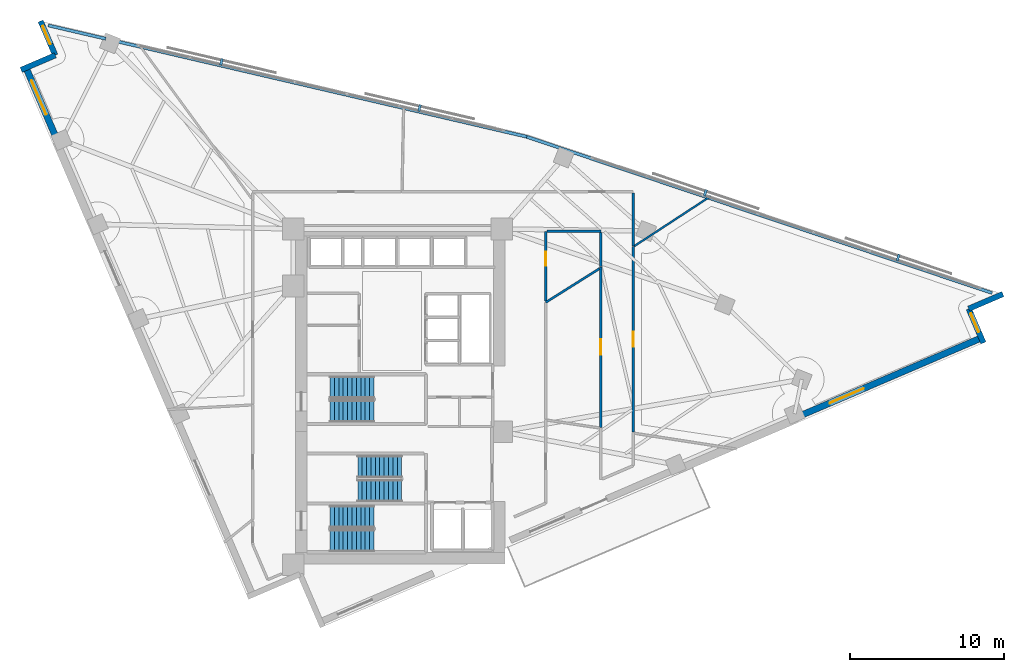
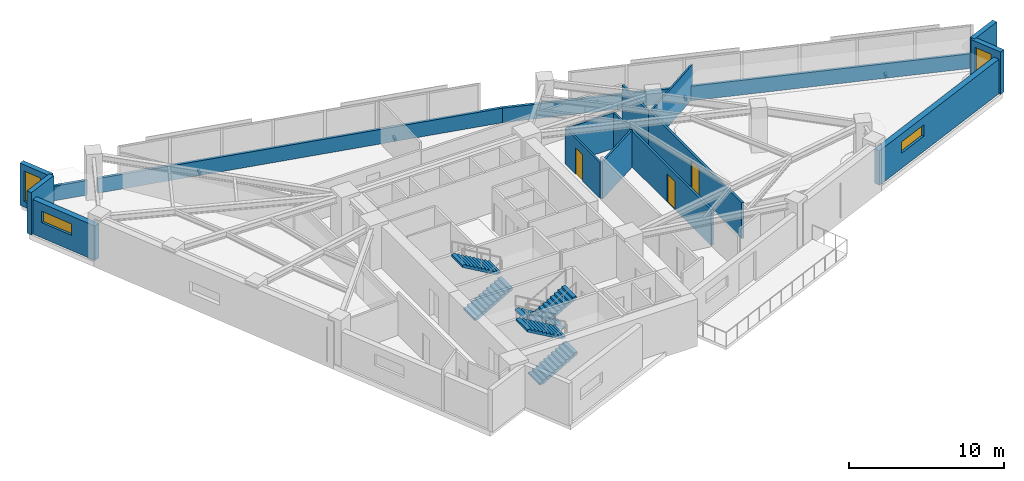
# One storey, part 11 of 13: 17 walls, 6 stair flights, 4 discrete accessories, 4 windows, 3 doors, 7 openings, 3 elements without a shape of their own.
"""IFC4 building model written with IfcOpenShell, lengths in metres."""

from ifc_helpers import new_model, si_unit, direction, frame, frame_2d, origin, origin_2d, place, context, subcontext, project, spatial, polyline, rectangle, outline, extrude, material, layer, layer_set, type_object, element, fill, aggregate, save


model = new_model("IFC4")

# Units and contexts
model_context = context("Model", 3, precision=1e-05, world=origin(), true_north=direction((0.0, 1.0)))
body_context = subcontext(model_context, "Body", "Model", "MODEL_VIEW")
ifc_project = project(units=[si_unit("LENGTHUNIT", "METRE"), si_unit("AREAUNIT", "SQUARE_METRE"), si_unit("VOLUMEUNIT", "CUBIC_METRE"), si_unit("PLANEANGLEUNIT", "RADIAN"), si_unit("MASSUNIT", "GRAM", prefix="KILO")], contexts=[model_context])

# Site, building, storey
site_placement = place(None, origin())
site = spatial("IfcSite", under=ifc_project, at=site_placement, CompositionType="ELEMENT")
building_placement = place(site_placement, origin())
building = spatial("IfcBuilding", under=site, at=building_placement, Name="Narakoshi Arena Tower", CompositionType="ELEMENT")
storey_placement = place(building_placement, frame((0.0, 0.0, 164.699951171875)))
storey = spatial("IfcBuildingStorey", under=building, at=storey_placement, Name="L44", CompositionType="ELEMENT", Elevation=164.699951171875)

# Wall, opening, door
ifc_material_1 = material(Name="Gypsum plasterboard fire-rated partition")
ifc_layer_1 = layer(ifc_material_1, 0.1650390625)
ifc_layer_set_1 = layer_set([ifc_layer_1], Name="Gypsum plasterboard fire-rated partition")
wall_type_1 = type_object("IfcWallType", Name="WL-CORR-165", PredefinedType="PARTITIONING", material=ifc_layer_set_1)
wall_1_placement = place(storey_placement, frame((94.07373046875, 43.31591796875, 0.0), z_axis=(0.0, 0.0, 1.0), x_axis=(0.0, 1.0, 0.0)))
wall_1 = element("IfcWall", 1, at=wall_1_placement, inside=storey, type_object=wall_type_1, Name="L44 Corridor Partition 04-1", PredefinedType="PARTITIONING", context=body_context, shape_type="SweptSolid", body=[
    extrude(rectangle(XDim=12.056640625, YDim=0.1650390625, at=frame_2d((6.0283203125, 0.0))), origin(), (0.0, 0.0, 1.0), 2.824951171875),
])
opening_1_placement = place(wall_1_placement, frame((5.5283203125, 0.0, 0.0)))
opening_1 = element("IfcOpeningElement", 2, at=opening_1_placement, cuts=wall_1, Name="Opening D-06", PredefinedType="OPENING", context=body_context, shape_type="SweptSolid", body=[
    extrude(rectangle(XDim=1.0, YDim=2.199951171875, at=frame_2d((0.5, 1.10009765625))), frame((0.0, 0.092529296875, 0.0), z_axis=(0.0, -1.0, 0.0), x_axis=(1.0, 0.0, 0.0)), (0.0, 0.0, 1.0), 0.18505859375),
])
ifc_material_2 = material(Name="Stained oak solid-core timber", Category="wood")
door_type_1 = type_object("IfcDoorType", Name="DR-OFF-1000", OperationType="NOTDEFINED", PredefinedType="DOOR", material=ifc_material_2)
door_1_placement = place(opening_1_placement, frame((1.0, 0.0, 0.0), z_axis=(0.0, 0.0, 1.0), x_axis=(-1.0, 0.0, 0.0)))
door_1 = element("IfcDoor", 3, at=door_1_placement, inside=storey, type_object=door_type_1, Name="DR-L44-019", OperationType="SINGLE_SWING_LEFT", OverallHeight=2.199951171875, OverallWidth=1.0, PredefinedType="DOOR", context=body_context, shape_type="SweptSolid", body=[
    extrude(rectangle(XDim=1.0, YDim=2.199951171875, at=frame_2d((0.5, 1.10009765625))), frame((0.0, 0.02490234375, 0.0), z_axis=(0.0, -1.0, 0.0), x_axis=(1.0, 0.0, 0.0)), (0.0, 0.0, 1.0), 0.050048828125),
])
fill(opening_1, door_1)

wall_2_placement = place(storey_placement, frame((91.9736328125, 54.02685546875, 0.0), z_axis=(0.0, 0.0, 1.0), x_axis=(0.0, -1.0, 0.0)))
wall_2 = element("IfcWall", 4, at=wall_2_placement, inside=storey, type_object=wall_type_1, Name="L44 Corridor Partition 05-1", PredefinedType="PARTITIONING", context=body_context, shape_type="SweptSolid", body=[
    extrude(rectangle(XDim=10.395263671875, YDim=0.1650390625, at=frame_2d((5.19775390625, 0.0))), origin(), (0.0, 0.0, 1.0), 2.824951171875),
])
opening_2_placement = place(wall_2_placement, frame((4.697509765625, 0.0, 0.0)))
opening_2 = element("IfcOpeningElement", 5, at=opening_2_placement, cuts=wall_2, Name="Opening D-06", PredefinedType="OPENING", context=body_context, shape_type="SweptSolid", body=[
    extrude(rectangle(XDim=1.0, YDim=2.199951171875, at=frame_2d((0.5, 1.10009765625))), frame((0.0, 0.092529296875, 0.0), z_axis=(0.0, -1.0, 0.0), x_axis=(1.0, 0.0, 0.0)), (0.0, 0.0, 1.0), 0.18505859375),
])
door_2_placement = place(opening_2_placement, frame((1.0, 0.0, 0.0), z_axis=(0.0, 0.0, 1.0), x_axis=(-1.0, 0.0, 0.0)))
door_2 = element("IfcDoor", 6, at=door_2_placement, inside=storey, type_object=door_type_1, Name="DR-L44-020", OperationType="SINGLE_SWING_RIGHT", OverallHeight=2.199951171875, OverallWidth=1.0, PredefinedType="DOOR", context=body_context, shape_type="SweptSolid", body=[
    extrude(rectangle(XDim=1.0, YDim=2.199951171875, at=frame_2d((0.5, 1.10009765625))), frame((0.0, 0.02490234375, 0.0), z_axis=(0.0, -1.0, 0.0), x_axis=(1.0, 0.0, 0.0)), (0.0, 0.0, 1.0), 0.050048828125),
])
fill(opening_2, door_2)

# Walls
wall_3_placement = place(storey_placement, frame((94.07373046875, 55.40087890625, 0.0), z_axis=(0.0, 0.0, 1.0), x_axis=(0.0, 1.0, 0.0)))
element("IfcWall", 7, at=wall_3_placement, inside=storey, type_object=wall_type_1, Name="L44 Corridor Partition 07-2", PredefinedType="PARTITIONING", context=body_context, shape_type="SweptSolid", body=[
    extrude(rectangle(XDim=3.423583984375, YDim=0.1650390625, at=frame_2d((1.7119140625, 0.0))), origin(), (0.0, 0.0, 1.0), 2.72509765625),
])
ifc_material_3 = material(Name="Precast concrete C45/55", Category="concrete")
ifc_layer_2 = layer(ifc_material_3, 0.25)
ifc_layer_set_2 = layer_set([ifc_layer_2], Name="Precast concrete C45/55")
wall_type_2 = type_object("IfcWallType", Name="WL-PARA-250", PredefinedType="PARAPET", material=ifc_layer_set_2)
wall_4_placement = place(storey_placement, frame((117.362548828125, 52.343505859375, 0.0), z_axis=(0.0, 0.0, 1.0), x_axis=(-0.94800468727, 0.31825636351, 0.0)))
element("IfcWall", 8, at=wall_4_placement, inside=storey, type_object=wall_type_2, Name="L44 Hypotenuse Sill Upstand Parapet 1-01", PredefinedType="PARAPET", context=body_context, shape_type="SweptSolid", body=[
    extrude(rectangle(XDim=31.869140625, YDim=0.199951171875, at=frame_2d((15.9345703125, 0.0))), origin(), (0.0, 0.0, 1.0), 1.150146484375),
])
wall_5_placement = place(storey_placement, frame((87.1650390625, 62.48193359375, 0.0), z_axis=(0.0, 0.0, 1.0), x_axis=(-0.973958631559, 0.226725790352, 0.0)))
element("IfcWall", 9, at=wall_5_placement, inside=storey, type_object=wall_type_2, Name="L44 Hypotenuse Sill Upstand Parapet 2-01", PredefinedType="PARAPET", context=body_context, shape_type="SweptSolid", body=[
    extrude(rectangle(XDim=27.375732421875, YDim=0.199951171875, at=frame_2d((13.68798828125, 0.0))), origin(), (0.0, 0.0, 1.0), 1.150146484375),
])
wall_6_placement = place(storey_placement, frame((59.8408203125, 68.842529296875, 0.0), z_axis=(0.0, 0.0, 1.0), x_axis=(-0.973951848941, 0.226754924851, 0.0)))
element("IfcWall", 10, at=wall_6_placement, inside=storey, type_object=wall_type_2, Name="L44 Hypotenuse Sill Upstand Parapet 2-02", PredefinedType="PARAPET", context=body_context, shape_type="SweptSolid", body=[
    extrude(rectangle(XDim=3.837158203125, YDim=0.199951171875, at=frame_2d((1.91845703125, 0.0))), origin(), (0.0, 0.0, 1.0), 1.150146484375),
])
ifc_layer_3 = layer(ifc_material_1, 0.125)
ifc_layer_set_3 = layer_set([ifc_layer_3], Name="Gypsum plasterboard fire-rated partition")
wall_type_3 = type_object("IfcWallType", Name="WL-PART-125", PredefinedType="PARTITIONING", material=ifc_layer_set_3)
wall_7_placement = place(storey_placement, frame((94.121826171875, 55.37255859375, 0.0), z_axis=(0.0, 0.0, 1.0), x_axis=(0.837125239486, 0.547011273573, 0.0)))
element("IfcWall", 11, at=wall_7_placement, inside=storey, type_object=wall_type_3, Name="L44 Inter-Room Partition 04-07", PredefinedType="PARTITIONING", context=body_context, shape_type="SweptSolid", body=[
    extrude(rectangle(XDim=5.96826171875, YDim=0.125, at=frame_2d((2.984130859375, 0.0))), origin(), (0.0, 0.0, 1.0), 2.72509765625),
])

# Wall, opening, window
ifc_layer_4 = layer(ifc_material_3, 0.419921875)
ifc_layer_set_4 = layer_set([ifc_layer_4], Name="Precast concrete C45/55")
wall_type_4 = type_object("IfcWallType", Name="WL-POD-420", PredefinedType="SOLIDWALL", material=ifc_layer_set_4)
wall_8_placement = place(storey_placement, frame((104.656005859375, 44.2685546875, 0.0), z_axis=(0.0, 0.0, 1.0), x_axis=(0.918789071809, 0.394748833467, 0.0)))
wall_8 = element("IfcWall", 12, at=wall_8_placement, inside=storey, type_object=wall_type_4, Name="L44 Architectural Concrete Facade Wall LEGA-4", PredefinedType="SOLIDWALL", context=body_context, shape_type="SweptSolid", body=[
    extrude(rectangle(XDim=13.06884765625, YDim=0.419921875, at=frame_2d((6.534423828125, 0.0))), origin(), (0.0, 0.0, 1.0), 2.72509765625),
])
opening_3_placement = place(wall_8_placement, frame((2.362060546875, 0.0, 1.199951171875)))
opening_3 = element("IfcOpeningElement", 13, at=opening_3_placement, cuts=wall_8, Name="Opening WN-01", PredefinedType="OPENING", context=body_context, shape_type="SweptSolid", body=[
    extrude(rectangle(XDim=2.39990234375, YDim=0.89990234375, at=frame_2d((1.199951171875, 0.449951171875))), frame((0.0, 0.219970703125, 0.0), z_axis=(0.0, -1.0, 0.0), x_axis=(1.0, 0.0, 0.0)), (0.0, 0.0, 1.0), 0.43994140625),
])
ifc_material_4 = material(Name="Bronze-tinted low-E laminated glass", Category="glass")
window_type_1 = type_object("IfcWindowType", Name="WIN-SLT-24x09", PartitioningType="SINGLE_PANEL", PredefinedType="WINDOW", material=ifc_material_4)
window_1_placement = place(opening_3_placement, origin())
window_1 = element("IfcWindow", 14, at=window_1_placement, inside=storey, type_object=window_type_1, Name="L44 LEGA4 Horizontal Slot Window 1", OverallHeight=0.89990234375, OverallWidth=2.39990234375, PartitioningType="SINGLE_PANEL", PredefinedType="WINDOW", context=body_context, shape_type="SweptSolid", body=[
    extrude(rectangle(XDim=2.39990234375, YDim=0.89990234375, at=frame_2d((1.199951171875, 0.449951171875))), frame((0.0, 0.030029296875, 0.0), z_axis=(0.0, -1.0, 0.0), x_axis=(1.0, 0.0, 0.0)), (0.0, 0.0, 1.0), 0.06005859375),
])
fill(opening_3, window_1)

wall_9_placement = place(storey_placement, frame((54.6708984375, 66.958984375, 0.0), z_axis=(0.0, 0.0, 1.0), x_axis=(0.394733507229, -0.918795656428, 0.0)))
wall_9 = element("IfcWall", 15, at=wall_9_placement, inside=storey, type_object=wall_type_4, Name="L44 Architectural Concrete Facade Wall LEGB-1", PredefinedType="SOLIDWALL", context=body_context, shape_type="SweptSolid", body=[
    extrude(rectangle(XDim=5.210205078125, YDim=0.419921875, at=frame_2d((2.60498046875, 0.0))), origin(), (0.0, 0.0, 1.0), 2.72509765625),
])
opening_4_placement = place(wall_9_placement, frame((0.89990234375, 0.0, 1.199951171875)))
opening_4 = element("IfcOpeningElement", 16, at=opening_4_placement, cuts=wall_9, Name="Opening WN-01", PredefinedType="OPENING", context=body_context, shape_type="SweptSolid", body=[
    extrude(rectangle(XDim=2.39990234375, YDim=0.89990234375, at=frame_2d((1.199951171875, 0.449951171875))), frame((0.0, 0.219970703125, 0.0), z_axis=(0.0, -1.0, 0.0), x_axis=(1.0, 0.0, 0.0)), (0.0, 0.0, 1.0), 0.43994140625),
])
window_2_placement = place(opening_4_placement, origin())
window_2 = element("IfcWindow", 17, at=window_2_placement, inside=storey, type_object=window_type_1, Name="L44 LEGB1 Horizontal Slot Window 1", OverallHeight=0.89990234375, OverallWidth=2.39990234375, PartitioningType="SINGLE_PANEL", PredefinedType="WINDOW", context=body_context, shape_type="SweptSolid", body=[
    extrude(rectangle(XDim=2.39990234375, YDim=0.89990234375, at=frame_2d((1.199951171875, 0.449951171875))), frame((0.0, 0.030029296875, 0.0), z_axis=(0.0, -1.0, 0.0), x_axis=(1.0, 0.0, 0.0)), (0.0, 0.0, 1.0), 0.06005859375),
])
fill(opening_4, window_2)

wall_10_placement = place(storey_placement, frame((116.8017578125, 49.105712890625, 0.0), z_axis=(0.0, 0.0, 1.0), x_axis=(-0.394712707157, 0.918804592288, 0.0)))
wall_10 = element("IfcWall", 18, at=wall_10_placement, inside=storey, type_object=wall_type_4, Name="L44 Re-Entrant Corner Notch Wall NTE-1", PredefinedType="SOLIDWALL", context=body_context, shape_type="SweptSolid", body=[
    extrude(rectangle(XDim=2.41357421875, YDim=0.360107421875, at=frame_2d((1.206787109375, 0.0))), origin(), (0.0, 0.0, 1.0), 3.340087890625),
])
opening_5_placement = place(wall_10_placement, frame((0.7734375, 0.0, 0.449951171875)))
opening_5 = element("IfcOpeningElement", 19, at=opening_5_placement, cuts=wall_10, Name="Opening WN-06", PredefinedType="OPENING", context=body_context, shape_type="SweptSolid", body=[
    extrude(rectangle(XDim=1.300048828125, YDim=2.39990234375, at=frame_2d((0.64990234375, 1.199951171875))), frame((0.0, 0.18994140625, 0.0), z_axis=(0.0, -1.0, 0.0), x_axis=(1.0, 0.0, 0.0)), (0.0, 0.0, 1.0), 0.380126953125),
])
window_type_2 = type_object("IfcWindowType", Name="WIN-NTC-16x24", PartitioningType="SINGLE_PANEL", PredefinedType="WINDOW", material=ifc_material_4)
window_3_placement = place(opening_5_placement, origin())
window_3 = element("IfcWindow", 20, at=window_3_placement, inside=storey, type_object=window_type_2, Name="L44 Corner Notch Window NTE", OverallHeight=2.39990234375, OverallWidth=1.300048828125, PartitioningType="SINGLE_PANEL", PredefinedType="WINDOW", context=body_context, shape_type="SweptSolid", body=[
    extrude(rectangle(XDim=1.300048828125, YDim=2.39990234375, at=frame_2d((0.64990234375, 1.199951171875))), frame((0.0, 0.030029296875, 0.0), z_axis=(0.0, -1.0, 0.0), x_axis=(1.0, 0.0, 0.0)), (0.0, 0.0, 1.0), 0.06005859375),
])
fill(opening_5, window_3)

# Wall
wall_11_placement = place(storey_placement, frame((115.84912109375, 51.3232421875, 0.0), z_axis=(0.0, 0.0, 1.0), x_axis=(0.918788830096, 0.394749396062, 0.0)))
element("IfcWall", 21, at=wall_11_placement, inside=storey, type_object=wall_type_4, Name="L44 Re-Entrant Corner Notch Wall NTE-2", PredefinedType="SOLIDWALL", context=body_context, shape_type="SweptSolid", body=[
    extrude(rectangle(XDim=2.413330078125, YDim=0.360107421875, at=frame_2d((1.20654296875, 0.0))), origin(), (0.0, 0.0, 1.0), 3.340087890625),
])

# Wall, opening, window
wall_12_placement = place(storey_placement, frame((55.614013671875, 69.99072265625, 0.0), z_axis=(0.0, 0.0, 1.0), x_axis=(0.394663989422, -0.918825519592, 0.0)))
wall_12 = element("IfcWall", 22, at=wall_12_placement, inside=storey, type_object=wall_type_4, Name="L44 Re-Entrant Corner Notch Wall NTN-1", PredefinedType="SOLIDWALL", context=body_context, shape_type="SweptSolid", body=[
    extrude(rectangle(XDim=2.4130859375, YDim=0.360107421875, at=frame_2d((1.20654296875, 0.0))), origin(), (0.0, 0.0, 1.0), 3.340087890625),
])
opening_6_placement = place(wall_12_placement, frame((0.340087890625, 0.0, 0.449951171875)))
opening_6 = element("IfcOpeningElement", 23, at=opening_6_placement, cuts=wall_12, Name="Opening WN-06", PredefinedType="OPENING", context=body_context, shape_type="SweptSolid", body=[
    extrude(rectangle(XDim=1.300048828125, YDim=2.39990234375, at=frame_2d((0.64990234375, 1.199951171875))), frame((0.0, 0.18994140625, 0.0), z_axis=(0.0, -1.0, 0.0), x_axis=(1.0, 0.0, 0.0)), (0.0, 0.0, 1.0), 0.380126953125),
])
window_4_placement = place(opening_6_placement, origin())
window_4 = element("IfcWindow", 24, at=window_4_placement, inside=storey, type_object=window_type_2, Name="L44 Corner Notch Window NTN", OverallHeight=2.39990234375, OverallWidth=1.300048828125, PartitioningType="SINGLE_PANEL", PredefinedType="WINDOW", context=body_context, shape_type="SweptSolid", body=[
    extrude(rectangle(XDim=1.300048828125, YDim=2.39990234375, at=frame_2d((0.64990234375, 1.199951171875))), frame((0.0, 0.030029296875, 0.0), z_axis=(0.0, -1.0, 0.0), x_axis=(1.0, 0.0, 0.0)), (0.0, 0.0, 1.0), 0.06005859375),
])
fill(opening_6, window_4)

# Walls
wall_13_placement = place(storey_placement, frame((56.56640625, 67.7734375, 0.0), z_axis=(0.0, 0.0, 1.0), x_axis=(-0.918788830096, -0.394749396062, 0.0)))
element("IfcWall", 25, at=wall_13_placement, inside=storey, type_object=wall_type_4, Name="L44 Re-Entrant Corner Notch Wall NTN-2", PredefinedType="SOLIDWALL", context=body_context, shape_type="SweptSolid", body=[
    extrude(rectangle(XDim=2.413330078125, YDim=0.360107421875, at=frame_2d((1.20654296875, 0.0))), origin(), (0.0, 0.0, 1.0), 3.340087890625),
])
ifc_material_5 = material(Name="Moisture-resistant cement-board partition")
ifc_layer_5 = layer(ifc_material_5, 0.14501953125)
ifc_layer_set_5 = layer_set([ifc_layer_5], Name="Moisture-resistant cement-board partition")
wall_type_5 = type_object("IfcWallType", Name="WL-WET-145", PredefinedType="PARTITIONING", material=ifc_layer_set_5)
wall_14_placement = place(storey_placement, frame((88.39990234375, 51.737060546875, 0.0), z_axis=(0.0, 0.0, 1.0), x_axis=(0.846550127573, 0.532309009416, 0.0)))
element("IfcWall", 26, at=wall_14_placement, inside=storey, type_object=wall_type_5, Name="L44 Inter-Room Partition 05-06", PredefinedType="PARTITIONING", context=body_context, shape_type="SweptSolid", body=[
    extrude(rectangle(XDim=4.10986328125, YDim=0.14501953125, at=frame_2d((2.054931640625, 0.0))), origin(), (0.0, 0.0, 1.0), 2.925048828125),
])

# Wall, opening, door
wall_15_placement = place(storey_placement, frame((88.39990234375, 51.8369140625, 0.0), z_axis=(0.0, 0.0, 1.0), x_axis=(0.0, 1.0, 0.0)))
wall_15 = element("IfcWall", 27, at=wall_15_placement, inside=storey, type_object=wall_type_5, Name="L44 Corridor Partition 06-1", PredefinedType="PARTITIONING", context=body_context, shape_type="SweptSolid", body=[
    extrude(rectangle(XDim=4.51318359375, YDim=0.14501953125, at=frame_2d((2.256591796875, 0.0))), origin(), (0.0, 0.0, 1.0), 2.824951171875),
])
opening_7_placement = place(wall_15_placement, frame((2.28857421875, 0.0, 0.0)))
opening_7 = element("IfcOpeningElement", 28, at=opening_7_placement, cuts=wall_15, Name="Opening D-08", PredefinedType="OPENING", context=body_context, shape_type="SweptSolid", body=[
    extrude(rectangle(XDim=0.89990234375, YDim=2.10009765625, at=frame_2d((0.449951171875, 1.050048828125))), frame((0.0, 0.08251953125, 0.0), z_axis=(0.0, -1.0, 0.0), x_axis=(1.0, 0.0, 0.0)), (0.0, 0.0, 1.0), 0.1650390625),
])
ifc_material_6 = material(Name="Moisture-resistant laminate timber", Category="wood")
door_type_2 = type_object("IfcDoorType", Name="DR-WC-900", OperationType="NOTDEFINED", PredefinedType="DOOR", material=ifc_material_6)
door_3_placement = place(opening_7_placement, frame((0.89990234375, 0.0, 0.0), z_axis=(0.0, 0.0, 1.0), x_axis=(-1.0, 0.0, 0.0)))
door_3 = element("IfcDoor", 29, at=door_3_placement, inside=storey, type_object=door_type_2, Name="DR-L44-021", OperationType="SINGLE_SWING_LEFT", OverallHeight=2.10009765625, OverallWidth=0.89990234375, PredefinedType="DOOR", context=body_context, shape_type="SweptSolid", body=[
    extrude(rectangle(XDim=0.89990234375, YDim=2.10009765625, at=frame_2d((0.449951171875, 1.050048828125))), frame((0.0, 0.02490234375, 0.0), z_axis=(0.0, -1.0, 0.0), x_axis=(1.0, 0.0, 0.0)), (0.0, 0.0, 1.0), 0.050048828125),
])
fill(opening_7, door_3)

# Walls
wall_16_placement = place(storey_placement, frame((88.484619140625, 56.35009765625, 0.0), z_axis=(0.0, 0.0, 1.0), x_axis=(1.0, 0.0, 0.0)))
element("IfcWall", 30, at=wall_16_placement, inside=storey, type_object=wall_type_5, Name="L44 Corridor Partition 06-2", PredefinedType="PARTITIONING", context=body_context, shape_type="SweptSolid", body=[
    extrude(rectangle(XDim=3.489013671875, YDim=0.14501953125, at=frame_2d((1.74462890625, 0.0))), origin(), (0.0, 0.0, 1.0), 2.824951171875),
])
wall_17_placement = place(storey_placement, frame((91.9736328125, 56.265380859375, 0.0), z_axis=(0.0, 0.0, 1.0), x_axis=(0.0, -1.0, 0.0)))
element("IfcWall", 31, at=wall_17_placement, inside=storey, type_object=wall_type_5, Name="L44 Corridor Partition 06-3", PredefinedType="PARTITIONING", context=body_context, shape_type="SweptSolid", body=[
    extrude(rectangle(XDim=2.2099609375, YDim=0.14501953125, at=frame_2d((1.10498046875, 0.0))), origin(), (0.0, 0.0, 1.0), 2.824951171875),
])

# Stair, stair flights
ifc_material_7 = material(Name="Concrete C45/55", Category="concrete")
stair_type = type_object("IfcStairType", Name="STR-CORE-360", PredefinedType="TWO_STRAIGHT_RUN_STAIR", material=ifc_material_7)
stair_1_placement = place(storey_placement, origin())
stair_1 = element("IfcStair", 32, at=stair_1_placement, inside=storey, type_object=stair_type, Name="L44 Core Escape Stair ST1", PredefinedType="TWO_STRAIGHT_RUN_STAIR")
stair_flight_type = type_object("IfcStairFlightType", Name="FLT-145-160", PredefinedType="STRAIGHT", material=ifc_material_3)
stair_flight_1_placement = place(storey_placement, frame((74.39990234375, 36.27490234375, 0.0), z_axis=(0.0, 0.0, 1.0), x_axis=(1.0, 0.0, 0.0)))
stair_flight_1 = element("IfcStairFlight", 33, at=stair_flight_1_placement, type_object=stair_flight_type, Name="ST1 flight 1", NumberOfRisers=11, NumberOfTreads=10, PredefinedType="STRAIGHT", RiserHeight=0.163636364, TreadLength=0.285, context=body_context, shape_type="SweptSolid", body=[
    extrude(outline(polyline([(0.0, 0.0), (0.0, 0.16357421875), (0.284912109375, 0.16357421875), (0.284912109375, 0.327392578125), (0.570068359375, 0.327392578125), (0.570068359375, 0.490966796875), (0.85498046875, 0.490966796875), (0.85498046875, 0.654541015625), (1.139892578125, 0.654541015625), (1.139892578125, 0.818115234375), (1.425048828125, 0.818115234375), (1.425048828125, 0.98193359375), (1.7099609375, 0.98193359375), (1.7099609375, 1.1455078125), (1.9951171875, 1.1455078125), (1.9951171875, 1.30908203125), (2.280029296875, 1.30908203125), (2.280029296875, 1.47265625), (2.56494140625, 1.47265625), (2.56494140625, 1.636474609375), (2.85009765625, 1.636474609375), (2.85009765625, 1.800048828125), (2.85009765625, 1.463623046875), (0.301025390625, 0.0), (0.0, 0.0)])), frame((0.0, 0.72509765625, 0.0), z_axis=(0.0, -1.0, 0.0), x_axis=(1.0, 0.0, 0.0)), (0.0, 0.0, 1.0), 1.449951171875),
])
stair_flight_2_placement = place(storey_placement, frame((77.25, 37.824951171875, 1.800048828125), z_axis=(0.0, 0.0, 1.0), x_axis=(-1.0, 0.0, 0.0)))
stair_flight_2 = element("IfcStairFlight", 34, at=stair_flight_2_placement, type_object=stair_flight_type, Name="ST1 flight 2", NumberOfRisers=11, NumberOfTreads=10, PredefinedType="STRAIGHT", RiserHeight=0.163636364, TreadLength=0.285, context=body_context, shape_type="SweptSolid", body=[
    extrude(outline(polyline([(0.0, 0.0), (0.0, 0.16357421875), (0.284912109375, 0.16357421875), (0.284912109375, 0.327392578125), (0.570068359375, 0.327392578125), (0.570068359375, 0.490966796875), (0.85498046875, 0.490966796875), (0.85498046875, 0.654541015625), (1.139892578125, 0.654541015625), (1.139892578125, 0.818115234375), (1.425048828125, 0.818115234375), (1.425048828125, 0.98193359375), (1.7099609375, 0.98193359375), (1.7099609375, 1.1455078125), (1.9951171875, 1.1455078125), (1.9951171875, 1.30908203125), (2.280029296875, 1.30908203125), (2.280029296875, 1.47265625), (2.56494140625, 1.47265625), (2.56494140625, 1.636474609375), (2.85009765625, 1.636474609375), (2.85009765625, 1.800048828125), (2.85009765625, 1.463623046875), (0.301025390625, 0.0), (0.0, 0.0)])), frame((0.0, 0.72509765625, 0.0), z_axis=(0.0, -1.0, 0.0), x_axis=(1.0, 0.0, 0.0)), (0.0, 0.0, 1.0), 1.449951171875),
])
aggregate(stair_1, [stair_flight_1, stair_flight_2])

stair_2_placement = place(storey_placement, origin())
stair_2 = element("IfcStair", 35, at=stair_2_placement, inside=storey, type_object=stair_type, Name="L44 Core Escape Stair ST2", PredefinedType="TWO_STRAIGHT_RUN_STAIR")
stair_flight_3_placement = place(storey_placement, frame((79.050048828125, 41.074951171875, 0.0), z_axis=(0.0, 0.0, 1.0), x_axis=(-1.0, 0.0, 0.0)))
stair_flight_3 = element("IfcStairFlight", 36, at=stair_flight_3_placement, type_object=stair_flight_type, Name="ST2 flight 1", NumberOfRisers=11, NumberOfTreads=10, PredefinedType="STRAIGHT", RiserHeight=0.163636364, TreadLength=0.285, context=body_context, shape_type="SweptSolid", body=[
    extrude(outline(polyline([(0.0, 0.0), (0.0, 0.16357421875), (0.284912109375, 0.16357421875), (0.284912109375, 0.327392578125), (0.570068359375, 0.327392578125), (0.570068359375, 0.490966796875), (0.85498046875, 0.490966796875), (0.85498046875, 0.654541015625), (1.139892578125, 0.654541015625), (1.139892578125, 0.818115234375), (1.425048828125, 0.818115234375), (1.425048828125, 0.98193359375), (1.7099609375, 0.98193359375), (1.7099609375, 1.1455078125), (1.9951171875, 1.1455078125), (1.9951171875, 1.30908203125), (2.280029296875, 1.30908203125), (2.280029296875, 1.47265625), (2.56494140625, 1.47265625), (2.56494140625, 1.636474609375), (2.85009765625, 1.636474609375), (2.85009765625, 1.800048828125), (2.85009765625, 1.463623046875), (0.301025390625, 0.0), (0.0, 0.0)])), frame((0.0, 0.72509765625, 0.0), z_axis=(0.0, -1.0, 0.0), x_axis=(1.0, 0.0, 0.0)), (0.0, 0.0, 1.0), 1.449951171875),
])
stair_flight_4_placement = place(storey_placement, frame((76.199951171875, 39.52490234375, 1.800048828125), z_axis=(0.0, 0.0, 1.0), x_axis=(1.0, 0.0, 0.0)))
stair_flight_4 = element("IfcStairFlight", 37, at=stair_flight_4_placement, type_object=stair_flight_type, Name="ST2 flight 2", NumberOfRisers=11, NumberOfTreads=10, PredefinedType="STRAIGHT", RiserHeight=0.163636364, TreadLength=0.285, context=body_context, shape_type="SweptSolid", body=[
    extrude(outline(polyline([(0.0, 0.0), (0.0, 0.16357421875), (0.284912109375, 0.16357421875), (0.284912109375, 0.327392578125), (0.570068359375, 0.327392578125), (0.570068359375, 0.490966796875), (0.85498046875, 0.490966796875), (0.85498046875, 0.654541015625), (1.139892578125, 0.654541015625), (1.139892578125, 0.818115234375), (1.425048828125, 0.818115234375), (1.425048828125, 0.98193359375), (1.7099609375, 0.98193359375), (1.7099609375, 1.1455078125), (1.9951171875, 1.1455078125), (1.9951171875, 1.30908203125), (2.280029296875, 1.30908203125), (2.280029296875, 1.47265625), (2.56494140625, 1.47265625), (2.56494140625, 1.636474609375), (2.85009765625, 1.636474609375), (2.85009765625, 1.800048828125), (2.85009765625, 1.463623046875), (0.301025390625, 0.0), (0.0, 0.0)])), frame((0.0, 0.72509765625, 0.0), z_axis=(0.0, -1.0, 0.0), x_axis=(1.0, 0.0, 0.0)), (0.0, 0.0, 1.0), 1.449951171875),
])
aggregate(stair_2, [stair_flight_3, stair_flight_4])

stair_3_placement = place(storey_placement, origin())
stair_3 = element("IfcStair", 38, at=stair_3_placement, inside=storey, type_object=stair_type, Name="L44 Core Escape Stair ST3", PredefinedType="TWO_STRAIGHT_RUN_STAIR")
stair_flight_5_placement = place(storey_placement, frame((74.39990234375, 44.675048828125, 0.0), z_axis=(0.0, 0.0, 1.0), x_axis=(1.0, 0.0, 0.0)))
stair_flight_5 = element("IfcStairFlight", 39, at=stair_flight_5_placement, type_object=stair_flight_type, Name="ST3 flight 1", NumberOfRisers=11, NumberOfTreads=10, PredefinedType="STRAIGHT", RiserHeight=0.163636364, TreadLength=0.285, context=body_context, shape_type="SweptSolid", body=[
    extrude(outline(polyline([(0.0, 0.0), (0.0, 0.16357421875), (0.284912109375, 0.16357421875), (0.284912109375, 0.327392578125), (0.570068359375, 0.327392578125), (0.570068359375, 0.490966796875), (0.85498046875, 0.490966796875), (0.85498046875, 0.654541015625), (1.139892578125, 0.654541015625), (1.139892578125, 0.818115234375), (1.425048828125, 0.818115234375), (1.425048828125, 0.98193359375), (1.7099609375, 0.98193359375), (1.7099609375, 1.1455078125), (1.9951171875, 1.1455078125), (1.9951171875, 1.30908203125), (2.280029296875, 1.30908203125), (2.280029296875, 1.47265625), (2.56494140625, 1.47265625), (2.56494140625, 1.636474609375), (2.85009765625, 1.636474609375), (2.85009765625, 1.800048828125), (2.85009765625, 1.463623046875), (0.301025390625, 0.0), (0.0, 0.0)])), frame((0.0, 0.72509765625, 0.0), z_axis=(0.0, -1.0, 0.0), x_axis=(1.0, 0.0, 0.0)), (0.0, 0.0, 1.0), 1.449951171875),
])
stair_flight_6_placement = place(storey_placement, frame((77.25, 46.22509765625, 1.800048828125), z_axis=(0.0, 0.0, 1.0), x_axis=(-1.0, 0.0, 0.0)))
stair_flight_6 = element("IfcStairFlight", 40, at=stair_flight_6_placement, type_object=stair_flight_type, Name="ST3 flight 2", NumberOfRisers=11, NumberOfTreads=10, PredefinedType="STRAIGHT", RiserHeight=0.163636364, TreadLength=0.285, context=body_context, shape_type="SweptSolid", body=[
    extrude(outline(polyline([(0.0, 0.0), (0.0, 0.16357421875), (0.284912109375, 0.16357421875), (0.284912109375, 0.327392578125), (0.570068359375, 0.327392578125), (0.570068359375, 0.490966796875), (0.85498046875, 0.490966796875), (0.85498046875, 0.654541015625), (1.139892578125, 0.654541015625), (1.139892578125, 0.818115234375), (1.425048828125, 0.818115234375), (1.425048828125, 0.98193359375), (1.7099609375, 0.98193359375), (1.7099609375, 1.1455078125), (1.9951171875, 1.1455078125), (1.9951171875, 1.30908203125), (2.280029296875, 1.30908203125), (2.280029296875, 1.47265625), (2.56494140625, 1.47265625), (2.56494140625, 1.636474609375), (2.85009765625, 1.636474609375), (2.85009765625, 1.800048828125), (2.85009765625, 1.463623046875), (0.301025390625, 0.0), (0.0, 0.0)])), frame((0.0, 0.72509765625, 0.0), z_axis=(0.0, -1.0, 0.0), x_axis=(1.0, 0.0, 0.0)), (0.0, 0.0, 1.0), 1.449951171875),
])
aggregate(stair_3, [stair_flight_5, stair_flight_6])

# Discrete accessories
ifc_material_8 = material(Name="Structural steel S355J2", Category="steel")
discrete_accessory_type = type_object("IfcDiscreteAccessoryType", Name="ACC-BRK-SCR", PredefinedType="BRACKET", material=ifc_material_8)
for number, where, z_axis, x_axis, name in (
    (41, (111.266357421875, 54.64306640625, -0.080078125), (0.0, 0.0, 1.0), (-0.948001964735, 0.318264473134, 0.0), "L44 Solar Screen Support Bracket SHD-L44-SCR1-1"),
    (42, (98.752685546875, 58.84423828125, -0.080078125), (0.0, 0.0, 1.0), (-0.948001964735, 0.318264473134, 0.0), "L44 Solar Screen Support Bracket SHD-L44-SCR1-2"),
    (43, (80.206787109375, 64.34814453125, -0.080078125), (0.0, 0.0, 1.0), (-0.973960141659, 0.226719303234, 0.0), "L44 Solar Screen Support Bracket SHD-L44-SCR2-1"),
    (44, (67.3505859375, 67.3408203125, -0.080078125), (0.0, 0.0, 1.0), (-0.973960141659, 0.226719303234, 0.0), "L44 Solar Screen Support Bracket SHD-L44-SCR2-2"),
):
    element("IfcDiscreteAccessory", number, at=place(storey_placement, frame(where, z_axis=z_axis, x_axis=x_axis)), inside=storey, type_object=discrete_accessory_type, Name=name, PredefinedType="BRACKET", context=body_context, shape_type="SweptSolid", body=[
        extrude(rectangle(XDim=0.159912109375, YDim=0.43994140625, at=origin_2d()), origin(), (0.0, 0.0, 1.0), 0.199951171875),
    ])

save(model, "model.ifc")
